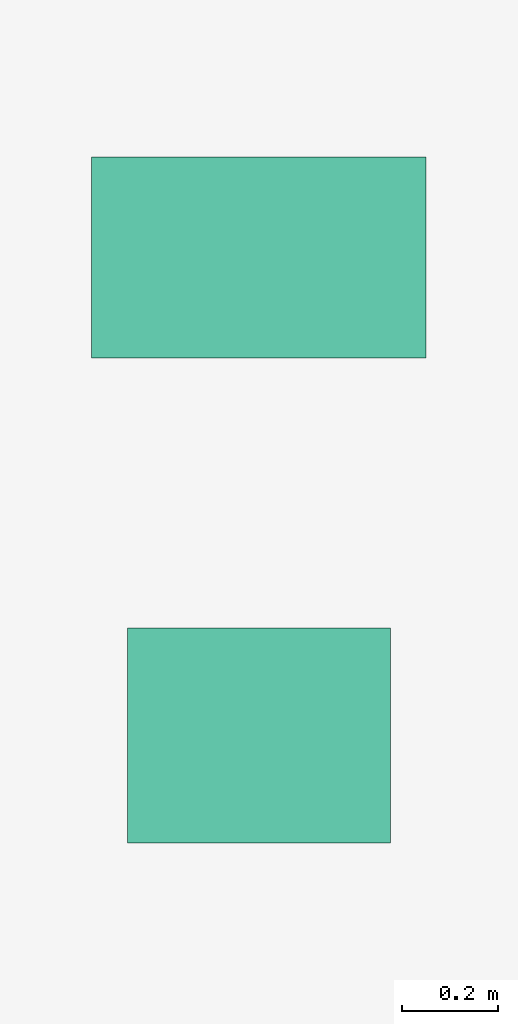
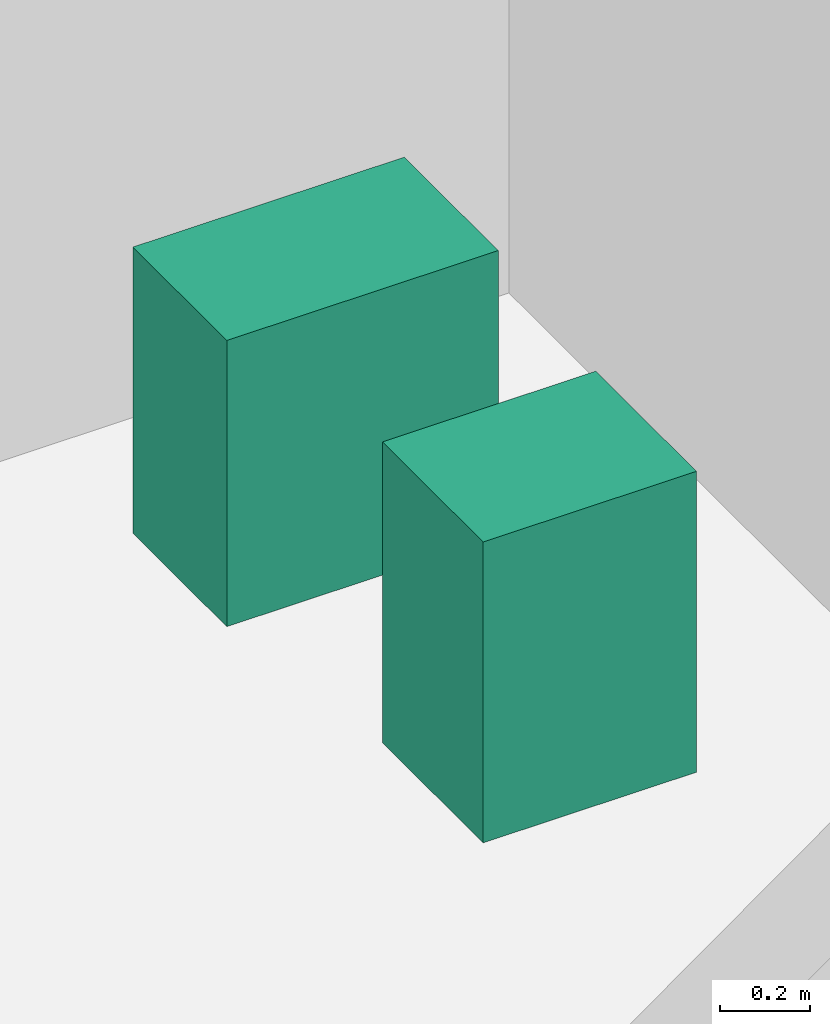
# One storey, part 36 of 36: 2 sanitary terminals.
"""IFC4 building model written with IfcOpenShell, lengths in metres."""

from ifc_helpers import new_model, si_unit, direction, frame, origin, origin_2d, place, context, subcontext, project, spatial, rectangle, extrude, source, transform, mapped, material, type_object, element, save


model = new_model("IFC4")

# Units and contexts
model_context = context("Model", 3, precision=1e-05, world=origin(), true_north=direction((0.0, 1.0)))
body_context = subcontext(model_context, "Body", "Model", "MODEL_VIEW")
ifc_project = project(units=[si_unit("LENGTHUNIT", "METRE"), si_unit("AREAUNIT", "SQUARE_METRE"), si_unit("VOLUMEUNIT", "CUBIC_METRE"), si_unit("PLANEANGLEUNIT", "RADIAN"), si_unit("MASSUNIT", "GRAM", prefix="KILO")], contexts=[model_context])

# Site, building, storey
site_placement = place(None, origin())
site = spatial("IfcSite", under=ifc_project, at=site_placement, CompositionType="ELEMENT")
building_placement = place(site_placement, origin())
building = spatial("IfcBuilding", under=site, at=building_placement, Name="Sumidabori Civic Tower", CompositionType="ELEMENT")
storey_placement = place(building_placement, frame((0.0, 0.0, 120.800048828125)))
storey = spatial("IfcBuildingStorey", under=building, at=storey_placement, Name="L31", CompositionType="ELEMENT", Elevation=120.800048828125)

# Sanitary terminals
ifc_material = material(Name="Vitreous Sanitary Porcelain")
sanitary_terminal_type_1 = type_object("IfcSanitaryTerminalType", Name="SN-WC-1", PredefinedType="TOILETPAN", material=ifc_material)
shared_shape_1 = source(origin(), body_context, "Body", "SweptSolid", [
    extrude(rectangle(XDim=0.699951171875, YDim=0.419921875, at=origin_2d()), origin(), (0.0, 0.0, 1.0), 0.780029296875),
])
sanitary_terminal_1_placement = place(storey_placement, frame((10.800048828125, 21.85009765625, 0.0), z_axis=(0.0, 0.0, 1.0), x_axis=(1.0, 0.0, 0.0)))
element("IfcSanitaryTerminal", 1, at=sanitary_terminal_1_placement, inside=storey, type_object=sanitary_terminal_type_1, Name="Accessible WC Pan L31", PredefinedType="TOILETPAN", context=body_context, shape_type="MappedRepresentation", body=[
    mapped(shared_shape_1, transform((0.0, 0.0, 0.0), x_axis=(1.0, 0.0, 0.0), y_axis=(0.0, 1.0, 0.0), z_axis=(0.0, 0.0, 1.0), scale=1.0)),
])
sanitary_terminal_type_2 = type_object("IfcSanitaryTerminalType", Name="SN-BAS-1", PredefinedType="WASHHANDBASIN", material=ifc_material)
shared_shape_2 = source(origin(), body_context, "Body", "SweptSolid", [
    extrude(rectangle(XDim=0.550048828125, YDim=0.449951171875, at=origin_2d()), origin(), (0.0, 0.0, 1.0), 0.820068359375),
])
sanitary_terminal_2_placement = place(storey_placement, frame((10.800048828125, 20.85009765625, 0.0), z_axis=(0.0, 0.0, 1.0), x_axis=(1.0, 0.0, 0.0)))
element("IfcSanitaryTerminal", 2, at=sanitary_terminal_2_placement, inside=storey, type_object=sanitary_terminal_type_2, Name="Accessible Basin L31", PredefinedType="WASHHANDBASIN", context=body_context, shape_type="MappedRepresentation", body=[
    mapped(shared_shape_2, transform((0.0, 0.0, 0.0), x_axis=(1.0, 0.0, 0.0), y_axis=(0.0, 1.0, 0.0), z_axis=(0.0, 0.0, 1.0), scale=1.0)),
])

save(model, "model.ifc")
